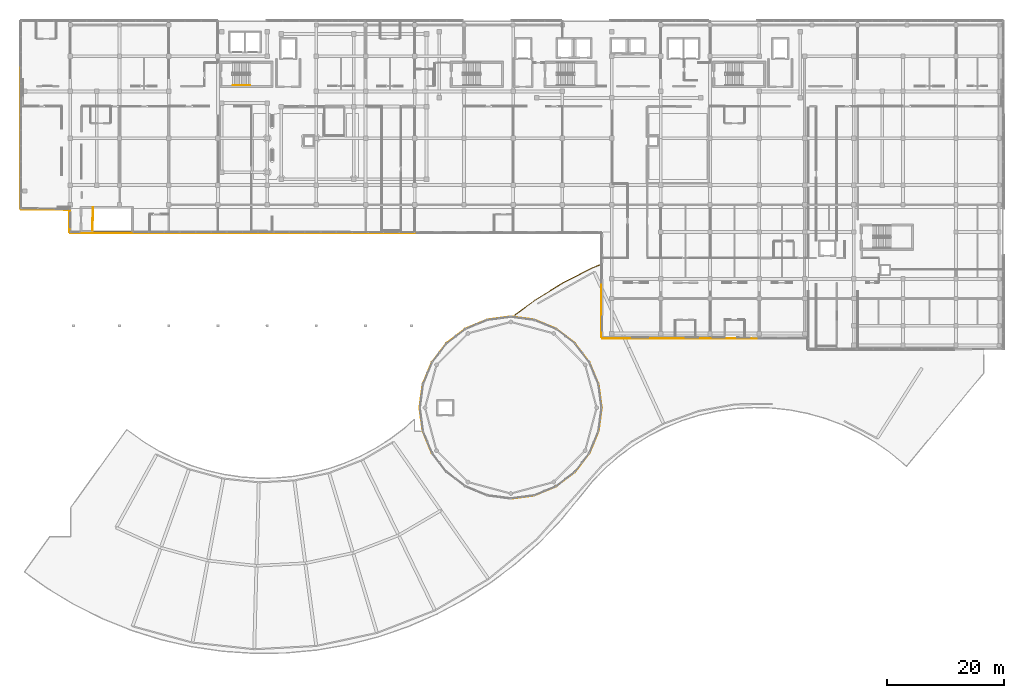
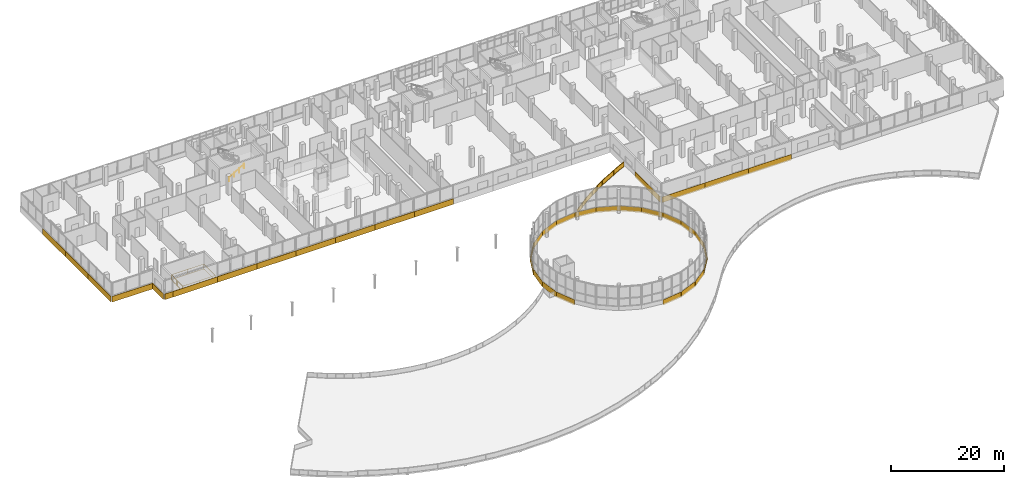
# One storey, part 94 of 101: 37 coverings, 5 railings.
"""IFC4 building model written with IfcOpenShell, lengths in metres."""

from ifc_helpers import new_model, si_unit, direction, frame, origin, origin_2d, place, context, subcontext, project, spatial, polyline, rectangle, circle, outline, extrude, material, layer, layer_set, type_object, element, save


model = new_model("IFC4")

# Units and contexts
model_context = context("Model", 3, precision=1e-05, world=origin(), true_north=direction((0.0, 1.0)))
body_context = subcontext(model_context, "Body", "Model", "MODEL_VIEW")
ifc_project = project(units=[si_unit("LENGTHUNIT", "METRE"), si_unit("AREAUNIT", "SQUARE_METRE"), si_unit("VOLUMEUNIT", "CUBIC_METRE"), si_unit("PLANEANGLEUNIT", "RADIAN"), si_unit("MASSUNIT", "GRAM", prefix="KILO")], contexts=[model_context])

# Site, building, storey
site_placement = place(None, origin())
site = spatial("IfcSite", under=ifc_project, at=site_placement, CompositionType="ELEMENT")
building_placement = place(site_placement, origin())
building = spatial("IfcBuilding", under=site, at=building_placement, Name="Selatvlak General Hospital", CompositionType="ELEMENT")
storey_placement = place(building_placement, frame((0.0, 0.0, 19.199951171875)))
storey = spatial("IfcBuildingStorey", under=building, at=storey_placement, Name="L04", CompositionType="ELEMENT", Elevation=19.199951171875)

# Coverings
ifc_material_1 = material(Name="White Bauhaus fair-faced cladding panel")
ifc_layer = layer(ifc_material_1, 0.054931640625, Name="White Bauhaus fair-faced cladding panel")
ifc_layer_set = layer_set([ifc_layer], Name="White Bauhaus fair-faced cladding panel")
covering_type = type_object("IfcCoveringType", Name="COV-WHT1", PredefinedType="CLADDING", material=ifc_layer_set)
covering_1_placement = place(storey_placement, frame((29.0, 83.7958984375, -0.27978515625), z_axis=(0.0, 0.0, 1.0), x_axis=(-0.999999780066, 0.000663225067, 0.0)))
element("IfcCovering", 1, at=covering_1_placement, inside=storey, type_object=covering_type, Name="L04 Bauhaus horizontal white spandrel band 0294", PredefinedType="CLADDING", context=body_context, shape_type="SweptSolid", body=[
    extrude(rectangle(XDim=9.0400390625, YDim=0.054931640625, at=origin_2d()), origin(), (0.0, 0.0, 1.0), 1.219970703125),
])
covering_2_placement = place(storey_placement, frame((14.235107421875, 92.0, -0.27978515625), z_axis=(0.0, 0.0, 1.0), x_axis=(0.0, 1.0, 0.0)))
element("IfcCovering", 2, at=covering_2_placement, inside=storey, type_object=covering_type, Name="L04 Bauhaus horizontal white spandrel band 0295", PredefinedType="CLADDING", context=body_context, shape_type="SweptSolid", body=[
    extrude(rectangle(XDim=8.0, YDim=0.054931640625, at=origin_2d()), origin(), (0.0, 0.0, 1.0), 1.219970703125),
])
covering_3_placement = place(storey_placement, frame((14.235107421875, 99.9990234375, -0.27978515625), z_axis=(0.0, 0.0, 1.0), x_axis=(0.0, 1.0, 0.0)))
element("IfcCovering", 3, at=covering_3_placement, inside=storey, type_object=covering_type, Name="L04 Bauhaus horizontal white spandrel band 0296", PredefinedType="CLADDING", context=body_context, shape_type="SweptSolid", body=[
    extrude(rectangle(XDim=7.9990234375, YDim=0.054931640625, at=origin_2d()), origin(), (0.0, 0.0, 1.0), 1.219970703125),
])
covering_4_placement = place(storey_placement, frame((14.235107421875, 107.9990234375, -0.27978515625), z_axis=(0.0, 0.0, 1.0), x_axis=(0.0, 1.0, 0.0)))
element("IfcCovering", 4, at=covering_4_placement, inside=storey, type_object=covering_type, Name="L04 Bauhaus horizontal white spandrel band 0297", PredefinedType="CLADDING", context=body_context, shape_type="SweptSolid", body=[
    extrude(rectangle(XDim=8.0, YDim=0.054931640625, at=origin_2d()), origin(), (0.0, 0.0, 1.0), 1.219970703125),
])
covering_5_placement = place(storey_placement, frame((135.60009765625, 65.798095703125, -0.27978515625), z_axis=(0.0, 0.0, 1.0), x_axis=(-0.999998537228, 0.001710421833, 0.0)))
element("IfcCovering", 5, at=covering_5_placement, inside=storey, type_object=covering_type, Name="L04 Bauhaus horizontal white spandrel band 0331", PredefinedType="CLADDING", context=body_context, shape_type="SweptSolid", body=[
    extrude(rectangle(XDim=8.799072265625, YDim=0.054931640625, at=origin_2d()), origin(), (0.0, 0.0, 1.0), 1.219970703125),
])
for number, where, z_axis, x_axis, name in (
    (6, (126.801025390625, 65.81298828125, -0.27978515625), (0.0, 0.0, 1.0), (-0.999998537228, 0.001710421833, 0.0), "L04 Bauhaus horizontal white spandrel band 0332"),
    (7, (118.0009765625, 65.827880859375, -0.27978515625), (0.0, 0.0, 1.0), (-0.999998537228, 0.001710421833, 0.0), "L04 Bauhaus horizontal white spandrel band 0333"),
):
    element("IfcCovering", number, at=place(storey_placement, frame(where, z_axis=z_axis, x_axis=x_axis)), inside=storey, type_object=covering_type, Name=name, PredefinedType="CLADDING", context=body_context, shape_type="SweptSolid", body=[
        extrude(rectangle(XDim=8.800048828125, YDim=0.054931640625, at=origin_2d()), origin(), (0.0, 0.0, 1.0), 1.219970703125),
    ])
covering_6_placement = place(storey_placement, frame((113.43603515625, 70.485107421875, -0.27978515625), z_axis=(0.0, 0.0, 1.0), x_axis=(-0.000104719755, 0.999999994517, 0.0)))
element("IfcCovering", 8, at=covering_6_placement, inside=storey, type_object=covering_type, Name="L04 Bauhaus horizontal white spandrel band 0334", PredefinedType="CLADDING", context=body_context, shape_type="SweptSolid", body=[
    extrude(rectangle(XDim=8.969970703125, YDim=0.054931640625, at=origin_2d()), origin(), (0.0, 0.0, 1.0), 1.219970703125),
])
for number, where, z_axis, x_axis, name in (
    (9, (77.56396484375, 83.799072265625, -0.27978515625), (0.0, 0.0, 1.0), (-0.999999802608, 0.000628318489, 0.0), "L04 Bauhaus horizontal white spandrel band 0340"),
    (10, (69.555908203125, 83.803955078125, -0.27978515625), (0.0, 0.0, 1.0), (-0.999999718381, 0.000750491508, 0.0), "L04 Bauhaus horizontal white spandrel band 0341"),
    (11, (61.548095703125, 83.81005859375, -0.27978515625), (0.0, 0.0, 1.0), (-0.999999802608, 0.000628318489, 0.0), "L04 Bauhaus horizontal white spandrel band 0342"),
    (12, (53.5400390625, 83.81494140625, -0.27978515625), (0.0, 0.0, 1.0), (-0.999999802608, 0.000628318489, 0.0), "L04 Bauhaus horizontal white spandrel band 0343"),
    (13, (45.531982421875, 83.820068359375, -0.27978515625), (0.0, 0.0, 1.0), (-0.999999718381, 0.000750491508, 0.0), "L04 Bauhaus horizontal white spandrel band 0344"),
    (14, (37.52392578125, 83.825927734375, -0.27978515625), (0.0, 0.0, 1.0), (-0.999999802608, 0.000628318489, 0.0), "L04 Bauhaus horizontal white spandrel band 0345"),
):
    element("IfcCovering", number, at=place(storey_placement, frame(where, z_axis=z_axis, x_axis=x_axis)), inside=storey, type_object=covering_type, Name=name, PredefinedType="CLADDING", context=body_context, shape_type="SweptSolid", body=[
        extrude(rectangle(XDim=8.008056640625, YDim=0.054931640625, at=origin_2d()), origin(), (0.0, 0.0, 1.0), 1.219970703125),
    ])
covering_7_placement = place(storey_placement, frame((23.639892578125, 83.8349609375, -0.27978515625), z_axis=(0.0, 0.0, 1.0), x_axis=(-0.999999823931, 0.000593411911, 0.0)))
element("IfcCovering", 15, at=covering_7_placement, inside=storey, type_object=covering_type, Name="L04 Bauhaus horizontal white spandrel band 0346", PredefinedType="CLADDING", context=body_context, shape_type="SweptSolid", body=[
    extrude(rectangle(XDim=1.678955078125, YDim=0.054931640625, at=origin_2d()), origin(), (0.0, 0.0, 1.0), 1.219970703125),
])
covering_8_placement = place(storey_placement, frame((22.635986328125, 85.969970703125, -0.27978515625), z_axis=(0.0, 0.0, 1.0), x_axis=(-0.000261799385, 0.999999965731, 0.0)))
element("IfcCovering", 16, at=covering_8_placement, inside=storey, type_object=covering_type, Name="L04 Bauhaus horizontal white spandrel band 0347", PredefinedType="CLADDING", context=body_context, shape_type="SweptSolid", body=[
    extrude(rectangle(XDim=3.93994140625, YDim=0.054931640625, at=origin_2d()), origin(), (0.0, 0.0, 1.0), 1.219970703125),
])
covering_9_placement = place(storey_placement, frame((18.59912109375, 87.804931640625, -0.27978515625), z_axis=(0.0, 0.0, 1.0), x_axis=(-0.999974521755, 0.007138336016, 0.0)))
element("IfcCovering", 17, at=covering_9_placement, inside=storey, type_object=covering_type, Name="L04 Bauhaus horizontal white spandrel band 0348", PredefinedType="CLADDING", context=body_context, shape_type="SweptSolid", body=[
    extrude(rectangle(XDim=8.39990234375, YDim=0.054931640625, at=origin_2d()), origin(), (0.0, 0.0, 1.0), 1.219970703125),
])
for number, where, z_axis, x_axis, name in (
    (18, (113.27587890625, 51.989013671875, -0.2998046875), (0.0, 0.0, 1.0), (-0.130508888223, -0.991447139335, 0.0), "L04 Rotunda white Bauhaus spandrel ring 0349"),
    (19, (112.235107421875, 48.10498046875, -0.2998046875), (0.0, 0.0, 1.0), (-0.382618932474, -0.923906246603, 0.0), "L04 Rotunda white Bauhaus spandrel ring 0351"),
    (20, (110.22412109375, 44.6220703125, -0.2998046875), (0.0, 0.0, 1.0), (-0.608747582288, -0.793363965062, 0.0), "L04 Rotunda white Bauhaus spandrel ring 0353"),
    (21, (107.3798828125, 41.778076171875, -0.2998046875), (0.0, 0.0, 1.0), (-0.793363965062, -0.608747582288, 0.0), "L04 Rotunda white Bauhaus spandrel ring 0355"),
    (22, (103.89697265625, 39.76708984375, -0.2998046875), (0.0, 0.0, 1.0), (-0.923819409341, -0.382828550301, 0.0), "L04 Rotunda white Bauhaus spandrel ring 0357"),
):
    element("IfcCovering", number, at=place(storey_placement, frame(where, z_axis=z_axis, x_axis=x_axis)), inside=storey, type_object=covering_type, Name=name, PredefinedType="CLADDING", context=body_context, shape_type="SweptSolid", body=[
        extrude(rectangle(XDim=4.0458984375, YDim=0.054931640625, at=origin_2d()), origin(), (0.0, 0.0, 1.0), 1.14990234375),
    ])
covering_10_placement = place(storey_placement, frame((100.011962890625, 38.72509765625, -0.2998046875), z_axis=(0.0, 0.0, 1.0), x_axis=(-0.991419783872, -0.130716533562, 0.0)))
element("IfcCovering", 23, at=covering_10_placement, inside=storey, type_object=covering_type, Name="L04 Rotunda white Bauhaus spandrel ring 0359", PredefinedType="CLADDING", context=body_context, shape_type="SweptSolid", body=[
    extrude(rectangle(XDim=4.047119140625, YDim=0.054931640625, at=origin_2d()), origin(), (0.0, 0.0, 1.0), 1.14990234375),
])
covering_11_placement = place(storey_placement, frame((83.76708984375, 48.10302734375, -0.2998046875), z_axis=(0.0, 0.0, 1.0), x_axis=(-0.382828550301, 0.923819409341, 0.0)))
element("IfcCovering", 24, at=covering_11_placement, inside=storey, type_object=covering_type, Name="L04 Rotunda white Bauhaus spandrel ring 0369", PredefinedType="CLADDING", context=body_context, shape_type="SweptSolid", body=[
    extrude(rectangle(XDim=4.0458984375, YDim=0.054931640625, at=origin_2d()), origin(), (0.0, 0.0, 1.0), 1.14990234375),
])
for number, where, z_axis, x_axis, name in (
    (25, (82.72509765625, 51.988037109375, -0.2998046875), (0.0, 0.0, 1.0), (-0.130716533562, 0.991419783872, 0.0), "L04 Rotunda white Bauhaus spandrel ring 0371"),
    (26, (82.72412109375, 56.010009765625, -0.2998046875), (0.0, 0.0, 1.0), (0.13047428011, 0.99145169435, 0.0), "L04 Rotunda white Bauhaus spandrel ring 0373"),
):
    element("IfcCovering", number, at=place(storey_placement, frame(where, z_axis=z_axis, x_axis=x_axis)), inside=storey, type_object=covering_type, Name=name, PredefinedType="CLADDING", context=body_context, shape_type="SweptSolid", body=[
        extrude(rectangle(XDim=4.047119140625, YDim=0.054931640625, at=origin_2d()), origin(), (0.0, 0.0, 1.0), 1.14990234375),
    ])
for number, where, z_axis, x_axis, name in (
    (27, (83.764892578125, 59.89501953125, -0.2998046875), (0.0, 0.0, 1.0), (0.382618932474, 0.923906246603, 0.0), "L04 Rotunda white Bauhaus spandrel ring 0375"),
    (28, (85.77587890625, 63.3779296875, -0.2998046875), (0.0, 0.0, 1.0), (0.608747582288, 0.793363965062, 0.0), "L04 Rotunda white Bauhaus spandrel ring 0377"),
    (29, (88.6201171875, 66.221923828125, -0.2998046875), (0.0, 0.0, 1.0), (0.793363965062, 0.608747582288, 0.0), "L04 Rotunda white Bauhaus spandrel ring 0379"),
    (30, (92.10302734375, 68.23291015625, -0.2998046875), (0.0, 0.0, 1.0), (0.923819409341, 0.382828550301, 0.0), "L04 Rotunda white Bauhaus spandrel ring 0381"),
):
    element("IfcCovering", number, at=place(storey_placement, frame(where, z_axis=z_axis, x_axis=x_axis)), inside=storey, type_object=covering_type, Name=name, PredefinedType="CLADDING", context=body_context, shape_type="SweptSolid", body=[
        extrude(rectangle(XDim=4.0458984375, YDim=0.054931640625, at=origin_2d()), origin(), (0.0, 0.0, 1.0), 1.14990234375),
    ])
for number, where, z_axis, x_axis, name in (
    (31, (95.988037109375, 69.27490234375, -0.2998046875), (0.0, 0.0, 1.0), (0.991419783872, 0.130716533562, 0.0), "L04 Rotunda white Bauhaus spandrel ring 0383"),
    (32, (100.010009765625, 69.27587890625, -0.2998046875), (0.0, 0.0, 1.0), (0.99145169435, -0.13047428011, 0.0), "L04 Rotunda white Bauhaus spandrel ring 0385"),
):
    element("IfcCovering", number, at=place(storey_placement, frame(where, z_axis=z_axis, x_axis=x_axis)), inside=storey, type_object=covering_type, Name=name, PredefinedType="CLADDING", context=body_context, shape_type="SweptSolid", body=[
        extrude(rectangle(XDim=4.047119140625, YDim=0.054931640625, at=origin_2d()), origin(), (0.0, 0.0, 1.0), 1.14990234375),
    ])
for number, where, z_axis, x_axis, name in (
    (33, (103.89501953125, 68.235107421875, -0.2998046875), (0.0, 0.0, 1.0), (0.923906246603, -0.382618932474, 0.0), "L04 Rotunda white Bauhaus spandrel ring 0387"),
    (34, (107.3779296875, 66.22412109375, -0.2998046875), (0.0, 0.0, 1.0), (0.793363965062, -0.608747582288, 0.0), "L04 Rotunda white Bauhaus spandrel ring 0389"),
    (35, (110.221923828125, 63.3798828125, -0.2998046875), (0.0, 0.0, 1.0), (0.608747582288, -0.793363965062, 0.0), "L04 Rotunda white Bauhaus spandrel ring 0391"),
    (36, (112.23291015625, 59.89697265625, -0.2998046875), (0.0, 0.0, 1.0), (0.382828550301, -0.923819409341, 0.0), "L04 Rotunda white Bauhaus spandrel ring 0393"),
):
    element("IfcCovering", number, at=place(storey_placement, frame(where, z_axis=z_axis, x_axis=x_axis)), inside=storey, type_object=covering_type, Name=name, PredefinedType="CLADDING", context=body_context, shape_type="SweptSolid", body=[
        extrude(rectangle(XDim=4.0458984375, YDim=0.054931640625, at=origin_2d()), origin(), (0.0, 0.0, 1.0), 1.14990234375),
    ])
covering_12_placement = place(storey_placement, frame((113.27490234375, 56.011962890625, -0.2998046875), z_axis=(0.0, 0.0, 1.0), x_axis=(0.130699230003, -0.991422065155, 0.0)))
element("IfcCovering", 37, at=covering_12_placement, inside=storey, type_object=covering_type, Name="L04 Rotunda white Bauhaus spandrel ring 0395", PredefinedType="CLADDING", context=body_context, shape_type="SweptSolid", body=[
    extrude(rectangle(XDim=4.048095703125, YDim=0.054931640625, at=origin_2d()), origin(), (0.0, 0.0, 1.0), 1.14990234375),
])

# Railings
ifc_material_2 = material(Name="Stainless steel 316 safety balustrade", Category="steel")
railing_type_1 = type_object("IfcRailingType", Name="RAIL-BAL1", PredefinedType="BALUSTRADE", material=ifc_material_2)
railing_1_placement = place(storey_placement, frame((98.72705078125, 69.85791015625, 0.0)))
element("IfcRailing", 38, at=railing_1_placement, inside=storey, type_object=railing_type_1, Name="L04 continuous terrace guardrail 0028", PredefinedType="BALUSTRADE", context=body_context, shape_type="SweptSolid", body=[
    extrude(rectangle(XDim=0.068115234375, YDim=0.068115234375, at=origin_2d()), frame((0.00244140625, 0.001708984375, 1.0859375), z_axis=(0.803991494026, 0.594640797064, 0.0), x_axis=(-0.594640797064, 0.803991494026, 0.0)), (0.0, 0.0, 1.0), 4.254150390625),
    extrude(rectangle(XDim=0.068115234375, YDim=0.068115234375, at=origin_2d()), frame((0.00244140625, 0.001708984375, 0.049072265625), z_axis=(0.803991494026, 0.594640797064, 0.0), x_axis=(-0.594640797064, 0.803991494026, 0.0)), (0.0, 0.0, 1.0), 4.254150390625),
    extrude(outline(polyline([(0.0, 0.0), (4.248046875, 0.0), (4.248046875, 0.94189453125), (0.0, 0.94189453125), (0.0, 0.0)])), frame((-0.005859375, 0.01806640625, 0.0849609375), z_axis=(0.594640797064, -0.803991494026, 0.0), x_axis=(0.803991494026, 0.594640797064, 0.0)), (0.0, 0.0, 1.0), 0.031982421875),
    extrude(rectangle(XDim=0.068115234375, YDim=0.068115234375, at=origin_2d()), frame((3.427490234375, 2.53466796875, 1.0859375), z_axis=(0.850624333724, 0.525773946556, 0.0), x_axis=(-0.525773946556, 0.850624333724, 0.0)), (0.0, 0.0, 1.0), 5.596923828125),
    extrude(rectangle(XDim=0.068115234375, YDim=0.068115234375, at=origin_2d()), frame((3.427490234375, 2.53466796875, 0.049072265625), z_axis=(0.850624333724, 0.525773946556, 0.0), x_axis=(-0.525773946556, 0.850624333724, 0.0)), (0.0, 0.0, 1.0), 5.596923828125),
    extrude(outline(polyline([(0.0, 0.0), (5.5908203125, 0.0), (5.5908203125, 0.94189453125), (0.0, 0.94189453125), (0.0, 0.0)])), frame((3.420654296875, 2.5517578125, 0.0849609375), z_axis=(0.525773946556, -0.850624333724, 0.0), x_axis=(0.850624333724, 0.525773946556, 0.0)), (0.0, 0.0, 1.0), 0.031982421875),
    extrude(rectangle(XDim=0.068115234375, YDim=0.068115234375, at=origin_2d()), frame((8.193603515625, 5.480224609375, 1.0859375), z_axis=(0.891257940723, 0.453496728874, 0.0), x_axis=(-0.453496728874, 0.891257940723, 0.0)), (0.0, 0.0, 1.0), 5.59521484375),
    extrude(rectangle(XDim=0.068115234375, YDim=0.068115234375, at=origin_2d()), frame((8.193603515625, 5.480224609375, 0.049072265625), z_axis=(0.891257940723, 0.453496728874, 0.0), x_axis=(-0.453496728874, 0.891257940723, 0.0)), (0.0, 0.0, 1.0), 5.59521484375),
    extrude(outline(polyline([(0.0, 0.0), (5.589111328125, 0.0), (5.589111328125, 0.94189453125), (0.0, 0.94189453125), (0.0, 0.0)])), frame((8.18798828125, 5.497802734375, 0.0849609375), z_axis=(0.453496728874, -0.891257940723, 0.0), x_axis=(0.891257940723, 0.453496728874, 0.0)), (0.0, 0.0, 1.0), 0.031982421875),
    extrude(rectangle(XDim=0.068115234375, YDim=0.068115234375, at=origin_2d()), frame((13.185546875, 8.020263671875, 1.0859375), z_axis=(0.925799627798, 0.378014615022, 0.0), x_axis=(-0.378014615022, 0.925799627798, 0.0)), (0.0, 0.0, 1.0), 1.30126953125),
    extrude(rectangle(XDim=0.068115234375, YDim=0.068115234375, at=origin_2d()), frame((13.185546875, 8.020263671875, 0.049072265625), z_axis=(0.925799627798, 0.378014615022, 0.0), x_axis=(-0.378014615022, 0.925799627798, 0.0)), (0.0, 0.0, 1.0), 1.30126953125),
    extrude(outline(polyline([(0.0, 0.0), (1.295166015625, 0.0), (1.295166015625, 0.94189453125), (0.0, 0.94189453125), (0.0, 0.0)])), frame((13.181640625, 8.0380859375, 0.0849609375), z_axis=(0.378014615022, -0.925799627798, 0.0), x_axis=(0.925799627798, 0.378014615022, 0.0)), (0.0, 0.0, 1.0), 0.031982421875),
    extrude(rectangle(XDim=0.055908203125, YDim=0.055908203125, at=origin_2d()), origin(), (0.0, 0.0, 1.0), 1.049072265625),
    extrude(rectangle(XDim=0.055908203125, YDim=0.055908203125, at=origin_2d()), frame((1.71240234375, 1.2666015625, 0.0)), (0.0, 0.0, 1.0), 1.049072265625),
    extrude(rectangle(XDim=0.055908203125, YDim=0.055908203125, at=origin_2d()), frame((3.425048828125, 2.533203125, 0.0)), (0.0, 0.0, 1.0), 1.049072265625),
    extrude(rectangle(XDim=0.055908203125, YDim=0.055908203125, at=origin_2d()), frame((5.013671875, 3.51513671875, 0.0)), (0.0, 0.0, 1.0), 1.049072265625),
    extrude(rectangle(XDim=0.055908203125, YDim=0.055908203125, at=origin_2d()), frame((6.602294921875, 4.4970703125, 0.0)), (0.0, 0.0, 1.0), 1.049072265625),
    extrude(rectangle(XDim=0.055908203125, YDim=0.055908203125, at=origin_2d()), frame((8.19091796875, 5.47900390625, 0.0)), (0.0, 0.0, 1.0), 1.049072265625),
    extrude(rectangle(XDim=0.055908203125, YDim=0.055908203125, at=origin_2d()), frame((9.85498046875, 6.32568359375, 0.0)), (0.0, 0.0, 1.0), 1.049072265625),
    extrude(rectangle(XDim=0.055908203125, YDim=0.055908203125, at=origin_2d()), frame((11.518798828125, 7.17236328125, 0.0)), (0.0, 0.0, 1.0), 1.049072265625),
    extrude(rectangle(XDim=0.055908203125, YDim=0.055908203125, at=origin_2d()), frame((13.182861328125, 8.01904296875, 0.0)), (0.0, 0.0, 1.0), 1.049072265625),
    extrude(rectangle(XDim=0.055908203125, YDim=0.055908203125, at=origin_2d()), frame((14.39306640625, 8.51318359375, 0.0)), (0.0, 0.0, 1.0), 1.049072265625),
])
ifc_material_3 = material(Name="Stainless steel 316 stair guard", Category="steel")
railing_type_2 = type_object("IfcRailingType", Name="RAIL-STG", PredefinedType="GUARDRAIL", material=ifc_material_3)
railing_2_placement = place(storey_placement, frame((26.610107421875, 84.199951171875, 0.0)))
element("IfcRailing", 39, at=railing_2_placement, inside=storey, type_object=railing_type_2, Name="L04 ST-07 top well guard 1", PredefinedType="GUARDRAIL", context=body_context, shape_type="SweptSolid", body=[
    extrude(rectangle(XDim=0.068115234375, YDim=0.068115234375, at=origin_2d()), frame((0.0, 0.0029296875, 1.11572265625), z_axis=(0.0, 1.0, 0.0), x_axis=(-1.0, 0.0, 0.0)), (0.0, 0.0, 1.0), 2.07421875),
    extrude(rectangle(XDim=0.068115234375, YDim=0.068115234375, at=origin_2d()), frame((0.0, 0.0029296875, 0.049072265625), z_axis=(0.0, 1.0, 0.0), x_axis=(-1.0, 0.0, 0.0)), (0.0, 0.0, 1.0), 2.07421875),
    extrude(rectangle(XDim=0.055908203125, YDim=0.055908203125, at=origin_2d()), origin(), (0.0, 0.0, 1.0), 1.078857421875),
    extrude(rectangle(XDim=0.055908203125, YDim=0.055908203125, at=origin_2d()), frame((0.0, 2.080078125, 0.0)), (0.0, 0.0, 1.0), 1.078857421875),
])
railing_3_placement = place(storey_placement, frame((26.705078125, 88.18994140625, 0.0)))
element("IfcRailing", 40, at=railing_3_placement, inside=storey, type_object=railing_type_2, Name="ST-07 top landing well guard on L04", PredefinedType="GUARDRAIL", context=body_context, shape_type="SweptSolid", body=[
    extrude(rectangle(XDim=0.068115234375, YDim=0.068115234375, at=origin_2d()), frame((0.0029296875, 0.0, 1.0859375), z_axis=(1.0, 0.0, 0.0), x_axis=(0.0, 1.0, 0.0)), (0.0, 0.0, 1.0), 6.5390625),
    extrude(rectangle(XDim=0.068115234375, YDim=0.068115234375, at=origin_2d()), frame((0.0029296875, 0.0, 0.049072265625), z_axis=(1.0, 0.0, 0.0), x_axis=(0.0, 1.0, 0.0)), (0.0, 0.0, 1.0), 6.5390625),
    extrude(rectangle(XDim=0.068115234375, YDim=0.068115234375, at=origin_2d()), frame((6.544921875, -0.0029296875, 1.0859375), z_axis=(0.0, -1.0, 0.0), x_axis=(1.0, 0.0, 0.0)), (0.0, 0.0, 1.0), 4.0341796875),
    extrude(rectangle(XDim=0.068115234375, YDim=0.068115234375, at=origin_2d()), frame((6.544921875, -0.0029296875, 0.049072265625), z_axis=(0.0, -1.0, 0.0), x_axis=(1.0, 0.0, 0.0)), (0.0, 0.0, 1.0), 4.0341796875),
    extrude(rectangle(XDim=0.068115234375, YDim=0.068115234375, at=origin_2d()), frame((6.5419921875, -4.0400390625, 1.0859375), z_axis=(-1.0, 0.0, 0.0), x_axis=(0.0, -1.0, 0.0)), (0.0, 0.0, 1.0), 6.5390625),
    extrude(rectangle(XDim=0.068115234375, YDim=0.068115234375, at=origin_2d()), frame((6.5419921875, -4.0400390625, 0.049072265625), z_axis=(-1.0, 0.0, 0.0), x_axis=(0.0, -1.0, 0.0)), (0.0, 0.0, 1.0), 6.5390625),
    extrude(rectangle(XDim=0.055908203125, YDim=0.055908203125, at=origin_2d()), origin(), (0.0, 0.0, 1.0), 1.049072265625),
    extrude(rectangle(XDim=0.055908203125, YDim=0.055908203125, at=origin_2d()), frame((3.2724609375, 0.0, 0.0)), (0.0, 0.0, 1.0), 1.049072265625),
    extrude(rectangle(XDim=0.055908203125, YDim=0.055908203125, at=origin_2d()), frame((6.544921875, 0.0, 0.0)), (0.0, 0.0, 1.0), 1.049072265625),
    extrude(rectangle(XDim=0.055908203125, YDim=0.055908203125, at=origin_2d()), frame((6.544921875, -2.02001953125, 0.0)), (0.0, 0.0, 1.0), 1.049072265625),
    extrude(rectangle(XDim=0.055908203125, YDim=0.055908203125, at=origin_2d()), frame((6.544921875, -4.0400390625, 0.0)), (0.0, 0.0, 1.0), 1.049072265625),
    extrude(rectangle(XDim=0.055908203125, YDim=0.055908203125, at=origin_2d()), frame((3.2724609375, -4.0400390625, 0.0)), (0.0, 0.0, 1.0), 1.049072265625),
    extrude(rectangle(XDim=0.055908203125, YDim=0.055908203125, at=origin_2d()), frame((0.0, -4.0400390625, 0.0)), (0.0, 0.0, 1.0), 1.049072265625),
])
railing_4_placement = place(storey_placement, frame((26.655029296875, 86.06005859375, 0.0)))
element("IfcRailing", 41, at=railing_4_placement, inside=storey, type_object=railing_type_2, Name="ST-07 top landing west slot guard on L04", PredefinedType="GUARDRAIL", context=body_context, shape_type="SweptSolid", body=[
    extrude(rectangle(XDim=0.068115234375, YDim=0.068115234375, at=origin_2d()), frame((0.0, 0.0029296875, 1.0859375), z_axis=(0.0, 1.0, 0.0), x_axis=(-1.0, 0.0, 0.0)), (0.0, 0.0, 1.0), 2.1240234375),
    extrude(rectangle(XDim=0.068115234375, YDim=0.068115234375, at=origin_2d()), frame((0.0, 0.0029296875, 0.049072265625), z_axis=(0.0, 1.0, 0.0), x_axis=(-1.0, 0.0, 0.0)), (0.0, 0.0, 1.0), 2.1240234375),
    extrude(rectangle(XDim=0.055908203125, YDim=0.055908203125, at=origin_2d()), origin(), (0.0, 0.0, 1.0), 1.049072265625),
    extrude(rectangle(XDim=0.055908203125, YDim=0.055908203125, at=origin_2d()), frame((0.0, 2.1298828125, 0.0)), (0.0, 0.0, 1.0), 1.049072265625),
])
ifc_material_4 = material(Name="Stainless steel 316 handrail", Category="steel")
railing_type_3 = type_object("IfcRailingType", Name="RAIL-STH", PredefinedType="HANDRAIL", material=ifc_material_4)
railing_5_placement = place(storey_placement, frame((50.510009765625, 109.050048828125, 0.18408203125)))
element("IfcRailing", 42, at=railing_5_placement, inside=storey, type_object=railing_type_3, Name="L04 ST-01 stair handrail 1", PredefinedType="HANDRAIL", context=body_context, shape_type="SweptSolid", body=[
    extrude(circle(Radius=0.02392578125, at=origin_2d()), frame((0.00244140625, 0.0, 0.87744140625), z_axis=(0.852303052018, 0.0, 0.52304828412), x_axis=(0.0, 1.0, 0.0)), (0.0, 0.0, 1.0), 3.513916015625),
    extrude(circle(Radius=0.02099609375, at=origin_2d()), origin(), (0.0, 0.0, 1.0), 0.848876953125),
    extrude(circle(Radius=0.02099609375, at=origin_2d()), frame((1.0, 0.0, 0.61376953125)), (0.0, 0.0, 1.0), 0.848876953125),
    extrude(circle(Radius=0.02099609375, at=origin_2d()), frame((2.0, 0.0, 1.227294921875)), (0.0, 0.0, 1.0), 0.848876953125),
    extrude(circle(Radius=0.02099609375, at=origin_2d()), frame((3.0, 0.0, 1.841064453125)), (0.0, 0.0, 1.0), 0.848876953125),
])

save(model, "model.ifc")
